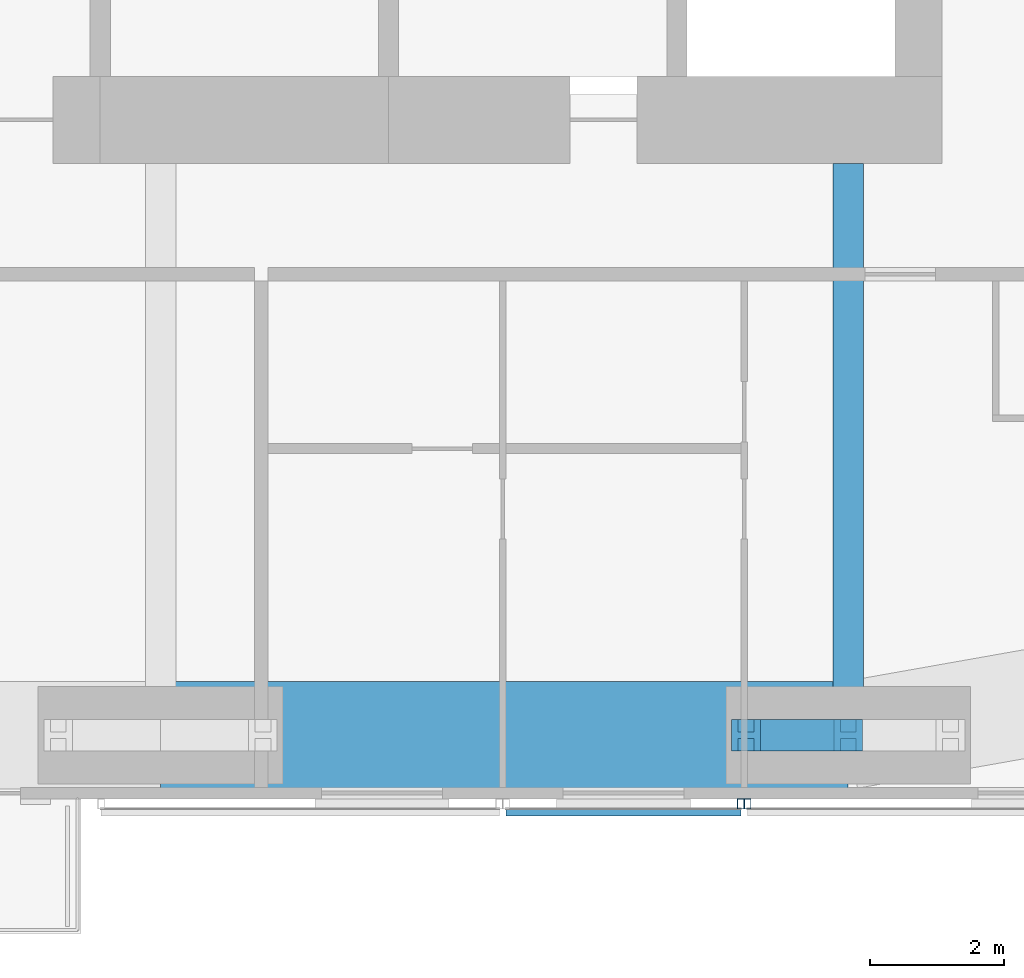
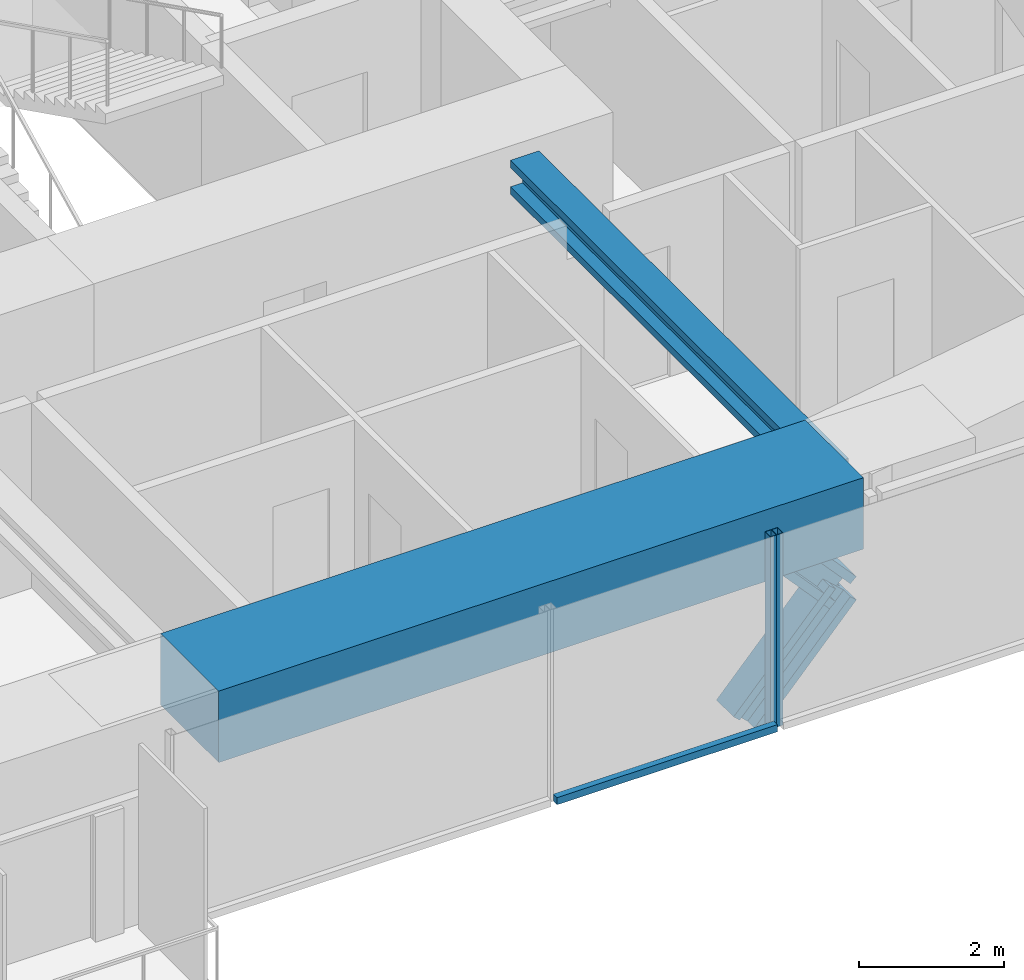
# One storey, part 5 of 23: 5 members, 2 beams, 2 elements without a shape of their own.
"""IFC4 building model written with IfcOpenShell, lengths in metres."""

from ifc_helpers import new_model, si_unit, direction, frame, origin, origin_2d, place, context, subcontext, project, spatial, rectangle, hollow_rectangle, i_section, extrude, material, material_profile, profile_set, type_object, element, aggregate, save


model = new_model("IFC4")

# Units and contexts
model_context = context("Model", 3, precision=1e-05, world=origin(), true_north=direction((0.0, 1.0)))
body_context = subcontext(model_context, "Body", "Model", "MODEL_VIEW")
ifc_project = project(units=[si_unit("LENGTHUNIT", "METRE"), si_unit("AREAUNIT", "SQUARE_METRE"), si_unit("VOLUMEUNIT", "CUBIC_METRE"), si_unit("PLANEANGLEUNIT", "RADIAN"), si_unit("MASSUNIT", "GRAM", prefix="KILO")], contexts=[model_context])

# Site, building, storey
site_placement = place(None, origin())
site = spatial("IfcSite", under=ifc_project, at=site_placement, CompositionType="ELEMENT")
building_placement = place(site_placement, origin())
building = spatial("IfcBuilding", under=site, at=building_placement, Name="Jalousie Tower", CompositionType="ELEMENT")
storey_placement = place(building_placement, frame((0.0, 0.0, 184.5)))
storey = spatial("IfcBuildingStorey", under=building, at=storey_placement, Name="L50", CompositionType="ELEMENT", Elevation=184.5)

# Beam
ifc_material_1 = material(Name="Steel ASTM A992 Grade 50", Category="steel")
ifc_material_profile_1 = material_profile(ifc_material_1, i_section(OverallWidth=0.45458984375, OverallDepth=0.569091796875, WebThickness=0.077880859375, FlangeThickness=0.124755859375, at=origin_2d()), Name="W14X730")
ifc_profile_set_1 = profile_set([ifc_material_profile_1], Name="Steel ASTM A992 Grade 50")
beam_type_1 = type_object("IfcBeamType", Name="LEAN COLLECTOR W14X730", PredefinedType="BEAM", material=ifc_profile_set_1)
beam_1_placement = place(storey_placement, frame((42.75, 0.949951171875, 2.825439453125), z_axis=(0.0, 1.0, 0.0), x_axis=(-1.0, 0.0, 0.0)))
element("IfcBeam", 1, at=beam_1_placement, inside=storey, type_object=beam_type_1, Name="Lean collector under L51", PredefinedType="BEAM", context=body_context, shape_type="SweptSolid", body=[
    extrude(i_section(OverallWidth=0.45458984375, OverallDepth=0.569091796875, WebThickness=0.077880859375, FlangeThickness=0.124755859375, at=origin_2d()), origin(), (0.0, 0.0, 1.0), 8.525146484375),
])

# Members
ifc_material_2 = material(Name="Steel ASTM A992 Grade 50", Category="steel")
ifc_material_profile_2 = material_profile(ifc_material_2, i_section(OverallWidth=0.472412109375, OverallDepth=0.5791015625, WebThickness=0.094970703125, FlangeThickness=0.1298828125, at=origin_2d()), Name="W14X808")
ifc_profile_set_2 = profile_set([ifc_material_profile_2], Name="Steel ASTM A992 Grade 50")
member_type_1 = type_object("IfcMemberType", Name="PERIMETER BRACE W14X808", PredefinedType="BRACE", material=ifc_profile_set_2)
for number, where, z_axis, x_axis, name in (
    (2, (41.22509765625, 0.949951171875, -0.60009765625), (0.673187629365, 0.0, 0.739471713908), (0.0, 1.0, 0.0), "Perimeter brace 04 L50 part 1"),
    (3, (42.75, 0.949951171875, 1.074951171875), (-0.673187629365, 0.0, 0.739471713908), (0.0, -1.0, 0.0), "Perimeter brace 04 L50 part 4"),
):
    element("IfcMember", number, at=place(storey_placement, frame(where, z_axis=z_axis, x_axis=x_axis)), inside=storey, type_object=member_type_1, Name=name, PredefinedType="BRACE", context=body_context, shape_type="SweptSolid", body=[
        extrude(i_section(OverallWidth=0.472412109375, OverallDepth=0.5791015625, WebThickness=0.094970703125, FlangeThickness=0.1298828125, at=origin_2d()), origin(), (0.0, 0.0, 1.0), 2.26513671875),
    ])

# Beam
ifc_material_3 = material(Name="Concrete f'c 40 MPa", Category="concrete")
ifc_material_profile_3 = material_profile(ifc_material_3, rectangle(XDim=1.60009765625, YDim=1.199951171875, at=origin_2d()), Name="RC 1600x1200")
ifc_profile_set_3 = profile_set([ifc_material_profile_3], Name="Concrete f'c 40 MPa")
beam_type_2 = type_object("IfcBeamType", Name="RC BEAM 1600x1200", PredefinedType="BEAM", material=ifc_profile_set_3)
beam_2_placement = place(storey_placement, frame((32.5, 0.949951171875, 2.75), z_axis=(1.0, 0.0, 0.0), x_axis=(0.0, 1.0, 0.0)))
element("IfcBeam", 4, at=beam_2_placement, inside=storey, type_object=beam_type_2, Name="Edge band beam 03-04 under L51", PredefinedType="BEAM", context=body_context, shape_type="SweptSolid", body=[
    extrude(rectangle(XDim=1.60009765625, YDim=1.199951171875, at=origin_2d()), origin(), (0.0, 0.0, 1.0), 10.25),
])

# Curtain wall, member
ifc_material_4 = material(Name="Perforated aluminium sheet", Category="aluminium")
curtain_wall_type = type_object("IfcCurtainWallType", Name="SOLAR SCREEN SS-1", PredefinedType="USERDEFINED", material=ifc_material_4)
curtain_wall_1_placement = place(storey_placement, origin())
curtain_wall_1 = element("IfcCurtainWall", 5, at=curtain_wall_1_placement, inside=storey, type_object=curtain_wall_type, Name="Solar screen L50", ObjectType="SOLAR SCREEN SS-1", PredefinedType="USERDEFINED")
ifc_material_5 = material(Name="Steel ASTM A500 Grade C", Category="steel")
ifc_material_profile_4 = material_profile(ifc_material_5, hollow_rectangle(XDim=0.1015625, YDim=0.15234375, WallThickness=0.00634765625, at=origin_2d()), Name="HSS6X4X1/4")
ifc_profile_set_4 = profile_set([ifc_material_profile_4], Name="Steel ASTM A500 Grade C")
member_type_2 = type_object("IfcMemberType", Name="SOLAR SCREEN SS-1 MULLION", PredefinedType="MULLION", material=ifc_profile_set_4)
member_1_placement = place(storey_placement, frame((41.14990234375, -0.0712890625, -0.1201171875), z_axis=(0.0, 0.0, 1.0), x_axis=(1.0, 0.0, 0.0)))
member_1 = element("IfcMember", 6, at=member_1_placement, type_object=member_type_2, Name="SS1 post 2", PredefinedType="MULLION", context=body_context, shape_type="SweptSolid", body=[
    extrude(hollow_rectangle(XDim=0.1015625, YDim=0.15234375, WallThickness=0.00634765625, at=origin_2d()), origin(), (0.0, 0.0, 1.0), 3.230224609375),
])

curtain_wall_2_placement = place(storey_placement, origin())
curtain_wall_2 = element("IfcCurtainWall", 7, at=curtain_wall_2_placement, inside=storey, type_object=curtain_wall_type, Name="Solar screen L50", ObjectType="SOLAR SCREEN SS-1", PredefinedType="USERDEFINED")
member_2_placement = place(storey_placement, frame((41.25, -0.0712890625, -0.1201171875), z_axis=(0.0, 0.0, 1.0), x_axis=(1.0, 0.0, 0.0)))
member_2 = element("IfcMember", 8, at=member_2_placement, type_object=member_type_2, Name="SS1 post 1", PredefinedType="MULLION", context=body_context, shape_type="SweptSolid", body=[
    extrude(hollow_rectangle(XDim=0.1015625, YDim=0.15234375, WallThickness=0.00634765625, at=origin_2d()), origin(), (0.0, 0.0, 1.0), 3.230224609375),
])
aggregate(curtain_wall_2, [member_2])

# Member
ifc_material_6 = material(Name="Extruded aluminium screen rail", Category="aluminium")
ifc_material_profile_5 = material_profile(ifc_material_6, rectangle(XDim=0.1015625, YDim=0.1201171875, at=origin_2d()), Name="RAIL 102x120")
ifc_profile_set_5 = profile_set([ifc_material_profile_5], Name="Extruded aluminium screen rail")
member_type_3 = type_object("IfcMemberType", Name="SOLAR SCREEN SS-1 TRANSOM", PredefinedType="USERDEFINED", material=ifc_profile_set_5)
member_3_placement = place(storey_placement, frame((37.64990234375, -0.1982421875, -0.06005859375), z_axis=(1.0, 0.0, 0.0), x_axis=(0.0, 1.0, 0.0)))
member_3 = element("IfcMember", 9, at=member_3_placement, type_object=member_type_3, Name="SS1 rail", ObjectType="TRANSOM", PredefinedType="USERDEFINED", context=body_context, shape_type="SweptSolid", body=[
    extrude(rectangle(XDim=0.1015625, YDim=0.1201171875, at=origin_2d()), origin(), (0.0, 0.0, 1.0), 3.5),
])

aggregate(curtain_wall_1, [member_1, member_3])

save(model, "model.ifc")
